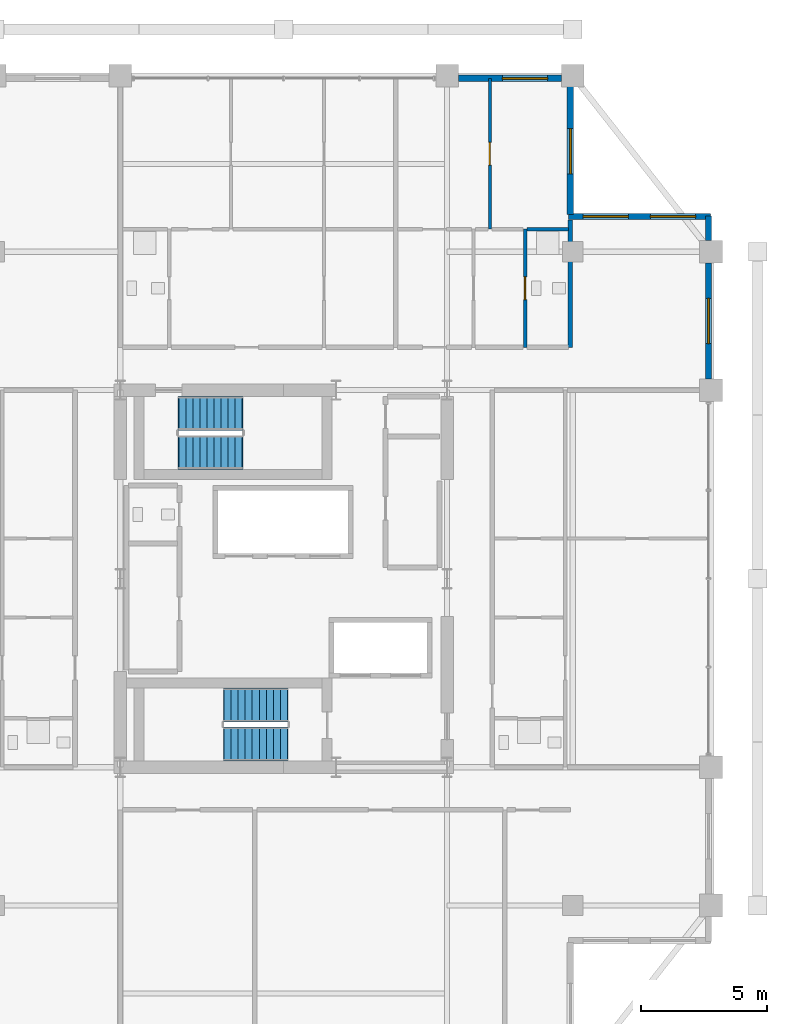
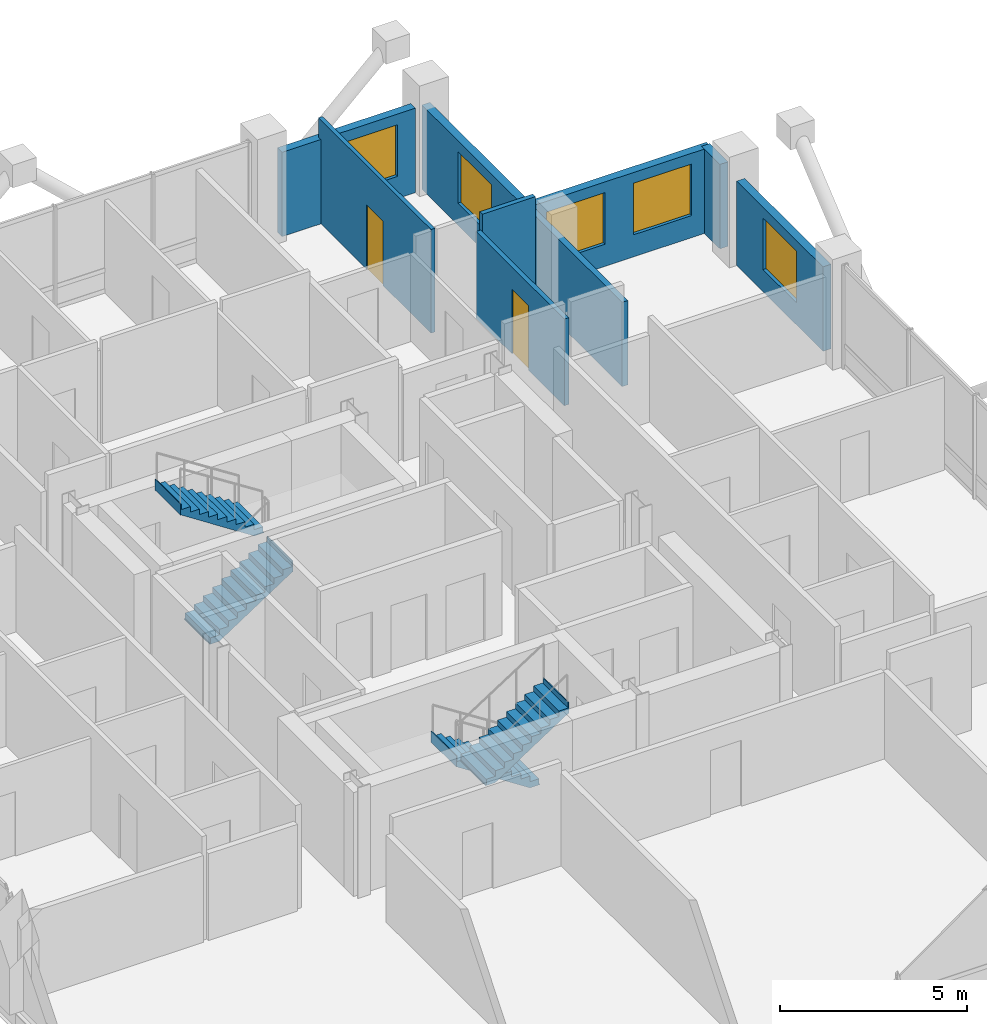
# One storey, part 21 of 23: 9 walls, 5 windows, 4 stair flights, 2 doors, 7 openings, 2 elements without a shape of their own.
"""IFC4 building model written with IfcOpenShell, lengths in metres."""

from ifc_helpers import new_model, si_unit, direction, frame, frame_2d, origin, place, context, subcontext, project, spatial, polyline, rectangle, outline, extrude, material, layer, layer_set, type_object, element, fill, aggregate, save


model = new_model("IFC4")

# Units and contexts
model_context = context("Model", 3, precision=1e-05, world=origin(), true_north=direction((0.0, 1.0)))
body_context = subcontext(model_context, "Body", "Model", "MODEL_VIEW")
ifc_project = project(units=[si_unit("LENGTHUNIT", "METRE"), si_unit("AREAUNIT", "SQUARE_METRE"), si_unit("VOLUMEUNIT", "CUBIC_METRE"), si_unit("PLANEANGLEUNIT", "RADIAN"), si_unit("MASSUNIT", "GRAM", prefix="KILO")], contexts=[model_context])

# Site, building, storey
site_placement = place(None, origin())
site = spatial("IfcSite", under=ifc_project, at=site_placement, CompositionType="ELEMENT")
building_placement = place(site_placement, origin())
building = spatial("IfcBuilding", under=site, at=building_placement, Name="Barlavira Tower and Art Museum", CompositionType="ELEMENT")
storey_placement = place(building_placement, frame((0.0, 0.0, 247.5)))
storey = spatial("IfcBuildingStorey", under=building, at=storey_placement, Name="L64", CompositionType="ELEMENT", Elevation=247.5)

# Wall, opening, door
ifc_material_1 = material(Name="Gypsum acoustic stud partition", Category="gypsum")
ifc_layer_1 = layer(ifc_material_1, 0.1201171875, Name="Gypsum acoustic stud partition")
ifc_layer_set_1 = layer_set([ifc_layer_1], Name="Gypsum acoustic stud partition")
wall_type_1 = type_object("IfcWallType", Name="Apartment Internal Acoustic Partition 120", PredefinedType="PARTITIONING", material=ifc_layer_set_1)
wall_1_placement = place(storey_placement, frame((8.199951171875, 13.89990234375, 0.0), z_axis=(0.0, 0.0, 1.0), x_axis=(0.0, 1.0, 0.0)))
wall_1 = element("IfcWall", 1, at=wall_1_placement, inside=storey, type_object=wall_type_1, Name="L64 Partition Wall 15", PredefinedType="PARTITIONING", context=body_context, shape_type="SweptSolid", body=[
    extrude(rectangle(XDim=6.0, YDim=0.1201171875, at=frame_2d((3.0, 0.0))), origin(), (0.0, 0.0, 1.0), 3.3798828125),
])
opening_1_placement = place(wall_1_placement, frame((2.550048828125, 0.0, 0.0)))
opening_1 = element("IfcOpeningElement", 2, at=opening_1_placement, cuts=wall_1, Name="Opening D-01", PredefinedType="OPENING", context=body_context, shape_type="SweptSolid", body=[
    extrude(rectangle(XDim=0.89990234375, YDim=2.10009765625, at=frame_2d((0.449951171875, 1.050048828125))), frame((0.0, 0.070068359375, 0.0), z_axis=(0.0, -1.0, 0.0), x_axis=(1.0, 0.0, 0.0)), (0.0, 0.0, 1.0), 0.14013671875),
])
ifc_material_2 = material(Name="Engineered coastal hardwood", Category="wood")
door_type_1 = type_object("IfcDoorType", Name="Internal Bedroom Timber Flush Door 900x2100", OperationType="NOTDEFINED", PredefinedType="DOOR", material=ifc_material_2)
door_1_placement = place(opening_1_placement, origin())
door_1 = element("IfcDoor", 3, at=door_1_placement, inside=storey, type_object=door_type_1, Name="Apartment N2 Bedroom 1 Door", OperationType="SINGLE_SWING_LEFT", OverallHeight=2.10009765625, OverallWidth=0.89990234375, PredefinedType="DOOR", context=body_context, shape_type="SweptSolid", body=[
    extrude(rectangle(XDim=0.89990234375, YDim=2.10009765625, at=frame_2d((0.449951171875, 1.050048828125))), frame((0.0, 0.02490234375, 0.0), z_axis=(0.0, -1.0, 0.0), x_axis=(1.0, 0.0, 0.0)), (0.0, 0.0, 1.0), 0.050048828125),
])
fill(opening_1, door_1)

# Wall
ifc_layer_2 = layer(ifc_material_1, 0.179931640625, Name="Gypsum acoustic stud partition")
ifc_layer_set_2 = layer_set([ifc_layer_2], Name="Gypsum acoustic stud partition")
wall_type_2 = type_object("IfcWallType", Name="Inter-Tenancy Party Partition Wall 180", PredefinedType="PARTITIONING", material=ifc_layer_set_2)
wall_2_placement = place(storey_placement, frame((11.39990234375, 9.199951171875, 0.0), z_axis=(0.0, 0.0, 1.0), x_axis=(0.0, 1.0, 0.0)))
element("IfcWall", 4, at=wall_2_placement, inside=storey, type_object=wall_type_2, Name="L64 Partition Wall 20", PredefinedType="PARTITIONING", context=body_context, shape_type="SweptSolid", body=[
    extrude(rectangle(XDim=5.070068359375, YDim=0.179931640625, at=frame_2d((2.53515625, 0.0))), origin(), (0.0, 0.0, 1.0), 2.748046875),
])

# Wall, opening, door
ifc_layer_3 = layer(ifc_material_1, 0.139892578125, Name="Gypsum acoustic stud partition")
ifc_layer_set_3 = layer_set([ifc_layer_3], Name="Gypsum acoustic stud partition")
wall_type_3 = type_object("IfcWallType", Name="Moisture-Resistant Bathroom Partition 140", PredefinedType="PARTITIONING", material=ifc_layer_set_3)
wall_3_placement = place(storey_placement, frame((9.60009765625, 9.199951171875, 0.0), z_axis=(0.0, 0.0, 1.0), x_axis=(0.0, 1.0, 0.0)))
wall_3 = element("IfcWall", 5, at=wall_3_placement, inside=storey, type_object=wall_type_3, Name="L64 Partition Wall 18", PredefinedType="PARTITIONING", context=body_context, shape_type="SweptSolid", body=[
    extrude(rectangle(XDim=4.699951171875, YDim=0.139892578125, at=frame_2d((2.35009765625, 0.0))), origin(), (0.0, 0.0, 1.0), 2.825927734375),
])
opening_2_placement = place(wall_3_placement, frame((1.89990234375, 0.0, 0.0)))
opening_2 = element("IfcOpeningElement", 6, at=opening_2_placement, cuts=wall_3, Name="Opening D-WC", PredefinedType="OPENING", context=body_context, shape_type="SweptSolid", body=[
    extrude(rectangle(XDim=0.89990234375, YDim=2.10009765625, at=frame_2d((0.449951171875, 1.050048828125))), frame((0.0, 0.080078125, 0.0), z_axis=(0.0, -1.0, 0.0), x_axis=(1.0, 0.0, 0.0)), (0.0, 0.0, 1.0), 0.159912109375),
])
door_type_2 = type_object("IfcDoorType", Name="Accessible Bathroom Flush Door 900x2100", OperationType="NOTDEFINED", PredefinedType="DOOR", material=ifc_material_2)
door_2_placement = place(opening_2_placement, origin())
door_2 = element("IfcDoor", 7, at=door_2_placement, inside=storey, type_object=door_type_2, Name="Apartment N2 Hall Bathroom Door", OperationType="SINGLE_SWING_LEFT", OverallHeight=2.10009765625, OverallWidth=0.89990234375, PredefinedType="DOOR", context=body_context, shape_type="SweptSolid", body=[
    extrude(rectangle(XDim=0.89990234375, YDim=2.10009765625, at=frame_2d((0.449951171875, 1.050048828125))), frame((0.0, 0.02490234375, 0.0), z_axis=(0.0, -1.0, 0.0), x_axis=(1.0, 0.0, 0.0)), (0.0, 0.0, 1.0), 0.050048828125),
])
fill(opening_2, door_2)

# Wall
wall_4_placement = place(storey_placement, frame((9.679931640625, 13.89990234375, 0.0), z_axis=(0.0, 0.0, 1.0), x_axis=(1.0, 0.0, 0.0)))
element("IfcWall", 8, at=wall_4_placement, inside=storey, type_object=wall_type_3, Name="L64 Partition Wall 60", PredefinedType="PARTITIONING", context=body_context, shape_type="SweptSolid", body=[
    extrude(rectangle(XDim=1.64013671875, YDim=0.139892578125, at=frame_2d((0.820068359375, 0.0))), origin(), (0.0, 0.0, 1.0), 3.3798828125),
])

# Wall, opening, window
ifc_material_3 = material(Name="Precast concrete C40", Category="concrete")
ifc_layer_4 = layer(ifc_material_3, 0.25, Name="Precast concrete C40")
ifc_layer_set_4 = layer_set([ifc_layer_4], Name="Precast concrete C40")
wall_type_4 = type_object("IfcWallType", Name="Notched Corner Spandrel Wall 250 Precast Concrete C40", PredefinedType="SOLIDWALL", material=ifc_layer_set_4)
wall_5_placement = place(storey_placement, frame((11.054931640625, 19.89990234375, 0.0), z_axis=(0.0, 0.0, 1.0), x_axis=(-1.0, 0.0, 0.0)))
wall_5 = element("IfcWall", 9, at=wall_5_placement, inside=storey, type_object=wall_type_4, Name="L64 Coastal Facade Pier Wall CW4-L64-N-1", PredefinedType="SOLIDWALL", context=body_context, shape_type="SweptSolid", body=[
    extrude(rectangle(XDim=4.10986328125, YDim=0.25, at=frame_2d((2.054931640625, 0.0))), origin(), (0.0, 0.0, 1.0), 2.748046875),
])
opening_3_placement = place(wall_5_placement, frame((0.554931640625, 0.0, 0.719970703125)))
opening_3 = element("IfcOpeningElement", 10, at=opening_3_placement, cuts=wall_5, Name="Opening WN-01", PredefinedType="OPENING", context=body_context, shape_type="SweptSolid", body=[
    extrude(rectangle(XDim=1.800048828125, YDim=1.679931640625, at=frame_2d((0.89990234375, 0.83984375))), frame((0.0, 0.135009765625, 0.0), z_axis=(0.0, -1.0, 0.0), x_axis=(1.0, 0.0, 0.0)), (0.0, 0.0, 1.0), 0.27001953125),
])
ifc_material_4 = material(Name="Low-iron coastal laminated glass", Category="glass")
window_type = type_object("IfcWindowType", Name="Recessed Notch Corner Punch Window 1800x1680", PartitioningType="SINGLE_PANEL", PredefinedType="WINDOW", material=ifc_material_4)
window_1_placement = place(opening_3_placement, origin())
window_1 = element("IfcWindow", 11, at=window_1_placement, inside=storey, type_object=window_type, Name="L64 Punched Facade Window EWP-CW4-L64-N-1-1", OverallHeight=1.679931640625, OverallWidth=1.800048828125, PartitioningType="SINGLE_PANEL", PredefinedType="WINDOW", context=body_context, shape_type="SweptSolid", body=[
    extrude(rectangle(XDim=1.800048828125, YDim=1.679931640625, at=frame_2d((0.89990234375, 0.83984375))), frame((0.0, 0.030029296875, 0.0), z_axis=(0.0, -1.0, 0.0), x_axis=(1.0, 0.0, 0.0)), (0.0, 0.0, 1.0), 0.06005859375),
])
fill(opening_3, window_1)

wall_6_placement = place(storey_placement, frame((16.89990234375, 7.945068359375, 0.0), z_axis=(0.0, 0.0, 1.0), x_axis=(0.0, 1.0, 0.0)))
wall_6 = element("IfcWall", 12, at=wall_6_placement, inside=storey, type_object=wall_type_4, Name="L64 Coastal Facade Pier Wall CW4-L64-E-4", PredefinedType="SOLIDWALL", context=body_context, shape_type="SweptSolid", body=[
    extrude(rectangle(XDim=4.60986328125, YDim=0.25, at=frame_2d((2.304931640625, 0.0))), origin(), (0.0, 0.0, 1.0), 2.748046875),
])
opening_4_placement = place(wall_6_placement, frame((1.405029296875, 0.0, 0.719970703125)))
opening_4 = element("IfcOpeningElement", 13, at=opening_4_placement, cuts=wall_6, Name="Opening WN-01", PredefinedType="OPENING", context=body_context, shape_type="SweptSolid", body=[
    extrude(rectangle(XDim=1.800048828125, YDim=1.679931640625, at=frame_2d((0.89990234375, 0.83984375))), frame((0.0, 0.135009765625, 0.0), z_axis=(0.0, -1.0, 0.0), x_axis=(1.0, 0.0, 0.0)), (0.0, 0.0, 1.0), 0.27001953125),
])
window_2_placement = place(opening_4_placement, origin())
window_2 = element("IfcWindow", 14, at=window_2_placement, inside=storey, type_object=window_type, Name="L64 Punched Facade Window EWP-CW4-L64-E-4-1", OverallHeight=1.679931640625, OverallWidth=1.800048828125, PartitioningType="SINGLE_PANEL", PredefinedType="WINDOW", context=body_context, shape_type="SweptSolid", body=[
    extrude(rectangle(XDim=1.800048828125, YDim=1.679931640625, at=frame_2d((0.89990234375, 0.83984375))), frame((0.0, 0.030029296875, 0.0), z_axis=(0.0, -1.0, 0.0), x_axis=(1.0, 0.0, 0.0)), (0.0, 0.0, 1.0), 0.06005859375),
])
fill(opening_4, window_2)

# Wall
wall_7_placement = place(storey_placement, frame((16.89990234375, 13.445068359375, 0.0), z_axis=(0.0, 0.0, 1.0), x_axis=(0.0, 1.0, 0.0)))
element("IfcWall", 15, at=wall_7_placement, inside=storey, type_object=wall_type_4, Name="L64 Coastal Facade Pier Wall CW4-L64-E-5", PredefinedType="SOLIDWALL", context=body_context, shape_type="SweptSolid", body=[
    extrude(rectangle(XDim=0.97998046875, YDim=0.25, at=frame_2d((0.489990234375, 0.0))), origin(), (0.0, 0.0, 1.0), 2.748046875),
])

# Wall, openings, windows
wall_8_placement = place(storey_placement, frame((16.97998046875, 14.39990234375, 0.0), z_axis=(0.0, 0.0, 1.0), x_axis=(-1.0, 0.0, 0.0)))
wall_8 = element("IfcWall", 16, at=wall_8_placement, inside=storey, type_object=wall_type_4, Name="L64 Notch Corner Wall NE1", PredefinedType="SOLIDWALL", context=body_context, shape_type="SweptSolid", body=[
    extrude(rectangle(XDim=5.659912109375, YDim=0.25, at=frame_2d((2.830078125, 0.0))), origin(), (0.0, 0.0, 1.0), 2.748046875),
])
opening_5_placement = place(wall_8_placement, frame((0.594970703125, 0.0, 0.719970703125)))
opening_5 = element("IfcOpeningElement", 17, at=opening_5_placement, cuts=wall_8, Name="Opening WN-01", PredefinedType="OPENING", context=body_context, shape_type="SweptSolid", body=[
    extrude(rectangle(XDim=1.800048828125, YDim=1.679931640625, at=frame_2d((0.89990234375, 0.83984375))), frame((0.0, 0.135009765625, 0.0), z_axis=(0.0, -1.0, 0.0), x_axis=(1.0, 0.0, 0.0)), (0.0, 0.0, 1.0), 0.27001953125),
])
opening_6_placement = place(wall_8_placement, frame((3.264892578125, 0.0, 0.719970703125)))
opening_6 = element("IfcOpeningElement", 18, at=opening_6_placement, cuts=wall_8, Name="Opening WN-01", PredefinedType="OPENING", context=body_context, shape_type="SweptSolid", body=[
    extrude(rectangle(XDim=1.800048828125, YDim=1.679931640625, at=frame_2d((0.89990234375, 0.83984375))), frame((0.0, 0.135009765625, 0.0), z_axis=(0.0, -1.0, 0.0), x_axis=(1.0, 0.0, 0.0)), (0.0, 0.0, 1.0), 0.27001953125),
])
window_3_placement = place(opening_5_placement, origin())
window_3 = element("IfcWindow", 19, at=window_3_placement, inside=storey, type_object=window_type, Name="L64 Punched Facade Window EW-NTC-L64-NE1-1", OverallHeight=1.679931640625, OverallWidth=1.800048828125, PartitioningType="SINGLE_PANEL", PredefinedType="WINDOW", context=body_context, shape_type="SweptSolid", body=[
    extrude(rectangle(XDim=1.800048828125, YDim=1.679931640625, at=frame_2d((0.89990234375, 0.83984375))), frame((0.0, 0.030029296875, 0.0), z_axis=(0.0, -1.0, 0.0), x_axis=(1.0, 0.0, 0.0)), (0.0, 0.0, 1.0), 0.06005859375),
])
fill(opening_5, window_3)
window_4_placement = place(opening_6_placement, origin())
window_4 = element("IfcWindow", 20, at=window_4_placement, inside=storey, type_object=window_type, Name="L64 Punched Facade Window EW-NTC-L64-NE1-2", OverallHeight=1.679931640625, OverallWidth=1.800048828125, PartitioningType="SINGLE_PANEL", PredefinedType="WINDOW", context=body_context, shape_type="SweptSolid", body=[
    extrude(rectangle(XDim=1.800048828125, YDim=1.679931640625, at=frame_2d((0.89990234375, 0.83984375))), frame((0.0, 0.030029296875, 0.0), z_axis=(0.0, -1.0, 0.0), x_axis=(1.0, 0.0, 0.0)), (0.0, 0.0, 1.0), 0.06005859375),
])
fill(opening_6, window_4)

# Wall, opening, window
wall_9_placement = place(storey_placement, frame((11.39990234375, 14.47998046875, 0.0), z_axis=(0.0, 0.0, 1.0), x_axis=(0.0, 1.0, 0.0)))
wall_9 = element("IfcWall", 21, at=wall_9_placement, inside=storey, type_object=wall_type_4, Name="L64 Notch Corner Wall NE2", PredefinedType="SOLIDWALL", context=body_context, shape_type="SweptSolid", body=[
    extrude(rectangle(XDim=5.340087890625, YDim=0.25, at=frame_2d((2.669921875, 0.0))), origin(), (0.0, 0.0, 1.0), 2.748046875),
])
opening_7_placement = place(wall_9_placement, frame((1.614990234375, 0.0, 0.719970703125)))
opening_7 = element("IfcOpeningElement", 22, at=opening_7_placement, cuts=wall_9, Name="Opening WN-01", PredefinedType="OPENING", context=body_context, shape_type="SweptSolid", body=[
    extrude(rectangle(XDim=1.800048828125, YDim=1.679931640625, at=frame_2d((0.89990234375, 0.83984375))), frame((0.0, 0.135009765625, 0.0), z_axis=(0.0, -1.0, 0.0), x_axis=(1.0, 0.0, 0.0)), (0.0, 0.0, 1.0), 0.27001953125),
])
window_5_placement = place(opening_7_placement, origin())
window_5 = element("IfcWindow", 23, at=window_5_placement, inside=storey, type_object=window_type, Name="L64 Punched Facade Window EW-NTC-L64-NE2-1", OverallHeight=1.679931640625, OverallWidth=1.800048828125, PartitioningType="SINGLE_PANEL", PredefinedType="WINDOW", context=body_context, shape_type="SweptSolid", body=[
    extrude(rectangle(XDim=1.800048828125, YDim=1.679931640625, at=frame_2d((0.89990234375, 0.83984375))), frame((0.0, 0.030029296875, 0.0), z_axis=(0.0, -1.0, 0.0), x_axis=(1.0, 0.0, 0.0)), (0.0, 0.0, 1.0), 0.06005859375),
])
fill(opening_7, window_5)

# Stair, stair flights
ifc_material_5 = material(Name="Concrete C45", Category="concrete")
stair_type_1 = type_object("IfcStairType", Name="Tower North Dog-Leg Exit Stair Assembly Concrete C45", PredefinedType="TWO_QUARTER_TURN_STAIR", material=ifc_material_5)
stair_1_placement = place(storey_placement, origin())
stair_1 = element("IfcStair", 24, at=stair_1_placement, inside=storey, type_object=stair_type_1, Name="L64 Tower North Exit Stair ST-T2", PredefinedType="TWO_QUARTER_TURN_STAIR")
ifc_material_6 = material(Name="Precast concrete C45", Category="concrete")
stair_flight_type_1 = type_object("IfcStairFlightType", Name="Tower North Dog-Leg Exit Stair Precast Flight 1350 Concrete C45", PredefinedType="STRAIGHT", material=ifc_material_6)
stair_flight_1_placement = place(storey_placement, frame((-4.169921875, 5.02490234375, 0.0), z_axis=(0.0, 0.0, 1.0), x_axis=(1.0, 0.0, 0.0)))
stair_flight_1 = element("IfcStairFlight", 25, at=stair_flight_1_placement, type_object=stair_flight_type_1, Name="ST-T2 flight 1", NumberOfRisers=10, NumberOfTreads=9, PredefinedType="STRAIGHT", RiserHeight=0.18, TreadLength=0.28, context=body_context, shape_type="SweptSolid", body=[
    extrude(outline(polyline([(-0.02490234375, 0.0), (0.0, 0.0), (0.0, 0.179931640625), (0.280029296875, 0.179931640625), (0.280029296875, 0.360107421875), (0.56005859375, 0.360107421875), (0.56005859375, 0.5400390625), (0.840087890625, 0.5400390625), (0.840087890625, 0.719970703125), (1.1201171875, 0.719970703125), (1.1201171875, 0.89990234375), (1.39990234375, 0.89990234375), (1.39990234375, 1.080078125), (1.679931640625, 1.080078125), (1.679931640625, 1.260009765625), (1.9599609375, 1.260009765625), (1.9599609375, 1.43994140625), (2.239990234375, 1.43994140625), (2.239990234375, 1.6201171875), (2.52001953125, 1.6201171875), (2.52001953125, 1.800048828125), (2.544921875, 1.800048828125), (2.544921875, 1.44189453125), (2.52001953125, 1.44189453125), (0.277099609375, -0.02490234375), (-0.02490234375, -0.02490234375), (-0.02490234375, 0.0)])), frame((0.0, 0.675048828125, 0.0), z_axis=(0.0, -1.0, 0.0), x_axis=(1.0, 0.0, 0.0)), (0.0, 0.0, 1.0), 1.35009765625),
])
stair_flight_2_placement = place(storey_placement, frame((-1.64990234375, 6.574951171875, 1.800048828125), z_axis=(0.0, 0.0, 1.0), x_axis=(-1.0, 0.0, 0.0)))
stair_flight_2 = element("IfcStairFlight", 26, at=stair_flight_2_placement, type_object=stair_flight_type_1, Name="ST-T2 flight 2", NumberOfRisers=10, NumberOfTreads=9, PredefinedType="STRAIGHT", RiserHeight=0.18, TreadLength=0.28, context=body_context, shape_type="SweptSolid", body=[
    extrude(outline(polyline([(-0.02490234375, 0.0), (0.0, 0.0), (0.0, 0.179931640625), (0.280029296875, 0.179931640625), (0.280029296875, 0.360107421875), (0.56005859375, 0.360107421875), (0.56005859375, 0.5400390625), (0.840087890625, 0.5400390625), (0.840087890625, 0.719970703125), (1.1201171875, 0.719970703125), (1.1201171875, 0.89990234375), (1.39990234375, 0.89990234375), (1.39990234375, 1.080078125), (1.679931640625, 1.080078125), (1.679931640625, 1.260009765625), (1.9599609375, 1.260009765625), (1.9599609375, 1.43994140625), (2.239990234375, 1.43994140625), (2.239990234375, 1.6201171875), (2.52001953125, 1.6201171875), (2.52001953125, 1.800048828125), (2.544921875, 1.800048828125), (2.544921875, 1.44189453125), (2.52001953125, 1.44189453125), (0.277099609375, -0.02490234375), (-0.02490234375, -0.02490234375), (-0.02490234375, 0.0)])), frame((0.0, 0.675048828125, 0.0), z_axis=(0.0, -1.0, 0.0), x_axis=(1.0, 0.0, 0.0)), (0.0, 0.0, 1.0), 1.35009765625),
])
aggregate(stair_1, [stair_flight_1, stair_flight_2])

stair_type_2 = type_object("IfcStairType", Name="Tower South Dog-Leg Exit Stair Assembly Concrete C45", PredefinedType="TWO_QUARTER_TURN_STAIR", material=ifc_material_5)
stair_2_placement = place(storey_placement, origin())
stair_2 = element("IfcStair", 27, at=stair_2_placement, inside=storey, type_object=stair_type_2, Name="L64 Tower South Exit Stair ST-T1", PredefinedType="TWO_QUARTER_TURN_STAIR")
stair_flight_type_2 = type_object("IfcStairFlightType", Name="Tower South Dog-Leg Exit Stair Precast Flight 1350 Concrete C45", PredefinedType="STRAIGHT", material=ifc_material_6)
stair_flight_3_placement = place(storey_placement, frame((0.14990234375, -5.02490234375, 0.0), z_axis=(0.0, 0.0, 1.0), x_axis=(-1.0, 0.0, 0.0)))
stair_flight_3 = element("IfcStairFlight", 28, at=stair_flight_3_placement, type_object=stair_flight_type_2, Name="ST-T1 flight 1", NumberOfRisers=10, NumberOfTreads=9, PredefinedType="STRAIGHT", RiserHeight=0.18, TreadLength=0.28, context=body_context, shape_type="SweptSolid", body=[
    extrude(outline(polyline([(-0.02490234375, 0.0), (0.0, 0.0), (0.0, 0.179931640625), (0.280029296875, 0.179931640625), (0.280029296875, 0.360107421875), (0.56005859375, 0.360107421875), (0.56005859375, 0.5400390625), (0.840087890625, 0.5400390625), (0.840087890625, 0.719970703125), (1.1201171875, 0.719970703125), (1.1201171875, 0.89990234375), (1.39990234375, 0.89990234375), (1.39990234375, 1.080078125), (1.679931640625, 1.080078125), (1.679931640625, 1.260009765625), (1.9599609375, 1.260009765625), (1.9599609375, 1.43994140625), (2.239990234375, 1.43994140625), (2.239990234375, 1.6201171875), (2.52001953125, 1.6201171875), (2.52001953125, 1.800048828125), (2.544921875, 1.800048828125), (2.544921875, 1.44189453125), (2.52001953125, 1.44189453125), (0.277099609375, -0.02490234375), (-0.02490234375, -0.02490234375), (-0.02490234375, 0.0)])), frame((0.0, 0.675048828125, 0.0), z_axis=(0.0, -1.0, 0.0), x_axis=(1.0, 0.0, 0.0)), (0.0, 0.0, 1.0), 1.35009765625),
])
stair_flight_4_placement = place(storey_placement, frame((-2.3701171875, -6.574951171875, 1.800048828125), z_axis=(0.0, 0.0, 1.0), x_axis=(1.0, 0.0, 0.0)))
stair_flight_4 = element("IfcStairFlight", 29, at=stair_flight_4_placement, type_object=stair_flight_type_2, Name="ST-T1 flight 2", NumberOfRisers=10, NumberOfTreads=9, PredefinedType="STRAIGHT", RiserHeight=0.18, TreadLength=0.28, context=body_context, shape_type="SweptSolid", body=[
    extrude(outline(polyline([(-0.02490234375, 0.0), (0.0, 0.0), (0.0, 0.179931640625), (0.280029296875, 0.179931640625), (0.280029296875, 0.360107421875), (0.56005859375, 0.360107421875), (0.56005859375, 0.5400390625), (0.840087890625, 0.5400390625), (0.840087890625, 0.719970703125), (1.1201171875, 0.719970703125), (1.1201171875, 0.89990234375), (1.39990234375, 0.89990234375), (1.39990234375, 1.080078125), (1.679931640625, 1.080078125), (1.679931640625, 1.260009765625), (1.9599609375, 1.260009765625), (1.9599609375, 1.43994140625), (2.239990234375, 1.43994140625), (2.239990234375, 1.6201171875), (2.52001953125, 1.6201171875), (2.52001953125, 1.800048828125), (2.544921875, 1.800048828125), (2.544921875, 1.44189453125), (2.52001953125, 1.44189453125), (0.277099609375, -0.02490234375), (-0.02490234375, -0.02490234375), (-0.02490234375, 0.0)])), frame((0.0, 0.675048828125, 0.0), z_axis=(0.0, -1.0, 0.0), x_axis=(1.0, 0.0, 0.0)), (0.0, 0.0, 1.0), 1.35009765625),
])
aggregate(stair_2, [stair_flight_3, stair_flight_4])

save(model, "model.ifc")
